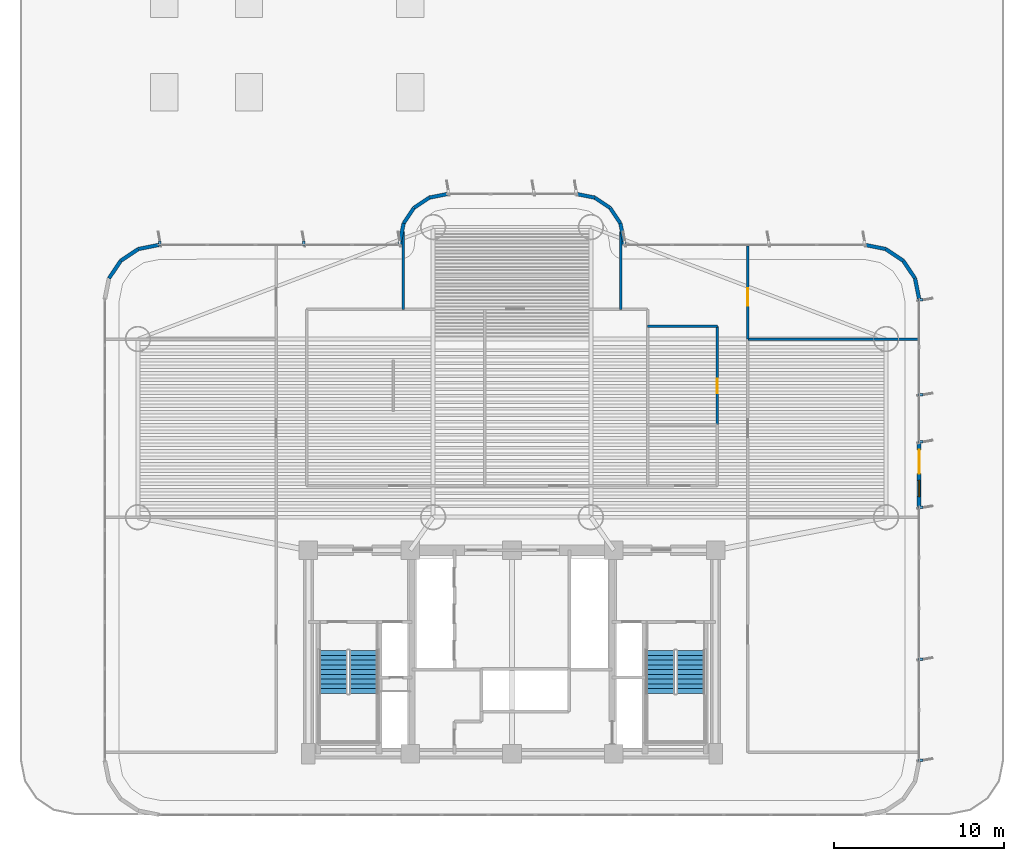
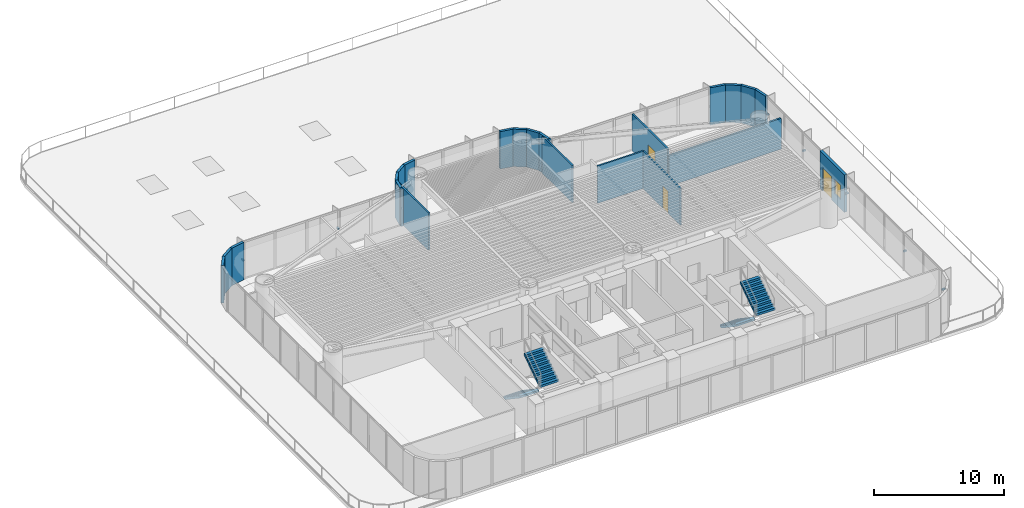
# One storey, part 12 of 17: 24 walls, 8 discrete accessories, 4 stair flights, 3 doors, 1 window, 4 openings, 2 elements without a shape of their own.
"""IFC4 building model written with IfcOpenShell, lengths in metres."""

from ifc_helpers import new_model, si_unit, direction, frame, frame_2d, origin, origin_2d, place, context, subcontext, project, spatial, polyline, rectangle, outline, extrude, source, transform, mapped, material, layer, layer_set, type_object, element, fill, aggregate, save


model = new_model("IFC4")

# Units and contexts
model_context = context("Model", 3, precision=1e-05, world=origin(), true_north=direction((0.0, 1.0)))
body_context = subcontext(model_context, "Body", "Model", "MODEL_VIEW")
ifc_project = project(units=[si_unit("LENGTHUNIT", "METRE"), si_unit("AREAUNIT", "SQUARE_METRE"), si_unit("VOLUMEUNIT", "CUBIC_METRE"), si_unit("PLANEANGLEUNIT", "RADIAN"), si_unit("MASSUNIT", "GRAM", prefix="KILO")], contexts=[model_context])

# Site, building, storey
site_placement = place(None, origin())
site = spatial("IfcSite", under=ifc_project, at=site_placement, CompositionType="ELEMENT")
building_placement = place(site_placement, origin())
building = spatial("IfcBuilding", under=site, at=building_placement, Name="Brelvock Crest Care Tower", CompositionType="ELEMENT")
storey_placement = place(building_placement, frame((0.0, 0.0, 27.0)))
storey = spatial("IfcBuildingStorey", under=building, at=storey_placement, Name="L06", CompositionType="ELEMENT", Elevation=27.0)

# Wall, openings, door, window
ifc_material_1 = material(Name="Precast concrete N40 (40 MPa)", Category="concrete")
ifc_layer_1 = layer(ifc_material_1, 0.239990234375, Name="WL-EX1")
ifc_layer_set_1 = layer_set([ifc_layer_1], Name="Precast concrete N40 (40 MPa)")
wall_type_1 = type_object("IfcWallType", Name="WL-EX1", PredefinedType="SOLIDWALL", material=ifc_layer_set_1)
wall_1_placement = place(storey_placement, frame((60.0, 24.364013671875, 0.0), z_axis=(0.0, 0.0, 1.0), x_axis=(0.0, -1.0, 0.0)))
wall_1 = element("IfcWall", 1, at=wall_1_placement, inside=storey, type_object=wall_type_1, Name="L06 Exterior Spandrel Wall WL-TER-L06-03", PredefinedType="SOLIDWALL", context=body_context, shape_type="SweptSolid", body=[
    extrude(rectangle(XDim=3.800048828125, YDim=0.239990234375, at=frame_2d((1.89990234375, 0.0))), origin(), (0.0, 0.0, 1.0), 3.530029296875),
])
opening_1_placement = place(wall_1_placement, frame((0.449951171875, 0.0, 0.0)))
opening_1 = element("IfcOpeningElement", 2, at=opening_1_placement, cuts=wall_1, Name="Opening TD-1", PredefinedType="OPENING", context=body_context, shape_type="SweptSolid", body=[
    extrude(rectangle(XDim=1.39990234375, YDim=2.14990234375, at=origin_2d()), frame((0.699951171875, 0.1298828125, 1.074951171875), z_axis=(0.0, -1.0, 0.0), x_axis=(1.0, 0.0, 0.0)), (0.0, 0.0, 1.0), 0.260009765625),
])
opening_2_placement = place(wall_1_placement, frame((2.25, 0.0, 0.85009765625)))
opening_2 = element("IfcOpeningElement", 3, at=opening_2_placement, cuts=wall_1, Name="Opening W-03", PredefinedType="OPENING", context=body_context, shape_type="SweptSolid", body=[
    extrude(rectangle(XDim=0.949951171875, YDim=1.35009765625, at=origin_2d()), frame((0.47509765625, 0.1298828125, 0.675048828125), z_axis=(0.0, -1.0, 0.0), x_axis=(1.0, 0.0, 0.0)), (0.0, 0.0, 1.0), 0.260009765625),
])
ifc_material_2 = material(Name="Dark Glass Double Glazed Low-E", Category="glass")
door_type_1 = type_object("IfcDoorType", Name="DR-TER1", OperationType="NOTDEFINED", PredefinedType="DOOR", material=ifc_material_2)
shared_shape_1 = source(origin(), body_context, "Body", "SweptSolid", [
    extrude(rectangle(XDim=1.39990234375, YDim=2.14990234375, at=origin_2d()), frame((0.699951171875, 0.02490234375, 1.074951171875), z_axis=(0.0, -1.0, 0.0), x_axis=(1.0, 0.0, 0.0)), (0.0, 0.0, 1.0), 0.050048828125),
])
door_1_placement = place(opening_1_placement, origin())
door_1 = element("IfcDoor", 4, at=door_1_placement, inside=storey, type_object=door_type_1, Name="L06 Setback Terrace Glazed Door", OperationType="SINGLE_SWING_RIGHT", OverallHeight=2.14990234375, OverallWidth=1.39990234375, PredefinedType="DOOR", context=body_context, shape_type="MappedRepresentation", body=[
    mapped(shared_shape_1, transform((0.0, 0.0, 0.0), x_axis=(1.0, 0.0, 0.0), y_axis=(0.0, 1.0, 0.0), z_axis=(0.0, 0.0, 1.0), scale=1.0)),
])
fill(opening_1, door_1)
window_type = type_object("IfcWindowType", Name="WN-EX3", PartitioningType="SINGLE_PANEL", PredefinedType="WINDOW", material=ifc_material_2)
shared_shape_2 = source(origin(), body_context, "Body", "SweptSolid", [
    extrude(rectangle(XDim=0.949951171875, YDim=1.35009765625, at=origin_2d()), frame((0.47509765625, 0.030029296875, 0.675048828125), z_axis=(0.0, -1.0, 0.0), x_axis=(1.0, 0.0, 0.0)), (0.0, 0.0, 1.0), 0.06005859375),
])
window_placement = place(opening_2_placement, origin())
window = element("IfcWindow", 5, at=window_placement, inside=storey, type_object=window_type, Name="L06 Terrace Side Window", OverallHeight=1.35009765625, OverallWidth=0.949951171875, PartitioningType="SINGLE_PANEL", PredefinedType="WINDOW", context=body_context, shape_type="MappedRepresentation", body=[
    mapped(shared_shape_2, transform((0.0, 0.0, 0.0), x_axis=(1.0, 0.0, 0.0), y_axis=(0.0, 1.0, 0.0), z_axis=(0.0, 0.0, 1.0), scale=1.0)),
])
fill(opening_2, window)

# Walls
ifc_layer_2 = layer(ifc_material_1, 0.215087890625, Name="WL-EX2")
ifc_layer_set_2 = layer_set([ifc_layer_2], Name="Precast concrete N40 (40 MPa)")
wall_type_2 = type_object("IfcWallType", Name="WL-EX2", PredefinedType="SOLIDWALL", material=ifc_layer_set_2)
for number, where, z_axis, x_axis, name in (
    (6, (58.024658203125, 35.75634765625, 0.0), (0.0, 0.0, 1.0), (0.831478245117, -0.555557312883, 0.0), "L06 Rounded Corner Wall 00"),
    (7, (59.062744140625, 35.062744140625, 0.0), (0.0, 0.0, 1.0), (0.555557312883, -0.831478245117, 0.0), "L06 Rounded Corner Wall 01"),
    (8, (59.75634765625, 34.024658203125, 0.0), (0.0, 0.0, 1.0), (0.195138390419, -0.980775717779, 0.0), "L06 Rounded Corner Wall 02"),
    (9, (12.24365234375, 34.024658203125, 0.0), (0.0, 0.0, 1.0), (0.555557312883, 0.831478245117, 0.0), "L06 Rounded Corner Wall 15"),
    (10, (12.937255859375, 35.062744140625, 0.0), (0.0, 0.0, 1.0), (0.831478245117, 0.555557312883, 0.0), "L06 Rounded Corner Wall 16"),
    (11, (13.975341796875, 35.75634765625, 0.0), (0.0, 0.0, 1.0), (0.980775717779, 0.195138390419, 0.0), "L06 Rounded Corner Wall 17"),
):
    element("IfcWall", number, at=place(storey_placement, frame(where, z_axis=z_axis, x_axis=x_axis)), inside=storey, type_object=wall_type_2, Name=name, PredefinedType="SOLIDWALL", context=body_context, shape_type="SweptSolid", body=[
        extrude(rectangle(XDim=1.24853515625, YDim=0.215087890625, at=frame_2d((0.624267578125, 0.0))), origin(), (0.0, 0.0, 1.0), 3.530029296875),
    ])
wall_2_placement = place(storey_placement, frame((29.39990234375, 36.0, 0.0), z_axis=(0.0, 0.0, 1.0), x_axis=(0.0, 1.0, 0.0)))
element("IfcWall", 12, at=wall_2_placement, inside=storey, type_object=wall_type_2, Name="L06 Rounded Corner Wall 19", PredefinedType="SOLIDWALL", context=body_context, shape_type="SweptSolid", body=[
    extrude(rectangle(XDim=0.199951171875, YDim=0.215087890625, at=frame_2d((0.10009765625, 0.0))), origin(), (0.0, 0.0, 1.0), 3.530029296875),
])
wall_3_placement = place(storey_placement, frame((29.39990234375, 36.199951171875, 0.0), z_axis=(0.0, 0.0, 1.0), x_axis=(0.195084651288, 0.980786408364, 0.0)))
element("IfcWall", 13, at=wall_3_placement, inside=storey, type_object=wall_type_2, Name="L06 Rounded Corner Wall 20", PredefinedType="SOLIDWALL", context=body_context, shape_type="SweptSolid", body=[
    extrude(rectangle(XDim=1.092529296875, YDim=0.215087890625, at=frame_2d((0.54638671875, 0.0))), origin(), (0.0, 0.0, 1.0), 3.530029296875),
])
wall_4_placement = place(storey_placement, frame((29.613037109375, 37.271484375, 0.0), z_axis=(0.0, 0.0, 1.0), x_axis=(0.555679482341, 0.831396603857, 0.0)))
element("IfcWall", 14, at=wall_4_placement, inside=storey, type_object=wall_type_2, Name="L06 Rounded Corner Wall 21", PredefinedType="SOLIDWALL", context=body_context, shape_type="SweptSolid", body=[
    extrude(rectangle(XDim=1.0927734375, YDim=0.215087890625, at=frame_2d((0.54638671875, 0.0))), origin(), (0.0, 0.0, 1.0), 3.530029296875),
])
wall_5_placement = place(storey_placement, frame((30.22021484375, 38.179931640625, 0.0), z_axis=(0.0, 0.0, 1.0), x_axis=(0.831430845238, 0.555628247651, 0.0)))
element("IfcWall", 15, at=wall_5_placement, inside=storey, type_object=wall_type_2, Name="L06 Rounded Corner Wall 22", PredefinedType="SOLIDWALL", context=body_context, shape_type="SweptSolid", body=[
    extrude(rectangle(XDim=1.09228515625, YDim=0.215087890625, at=frame_2d((0.546142578125, 0.0))), origin(), (0.0, 0.0, 1.0), 3.530029296875),
])
for number, where, z_axis, x_axis, name in (
    (16, (31.12841796875, 38.786865234375, 0.0), (0.0, 0.0, 1.0), (0.980786408364, 0.195084651288, 0.0), "L06 Rounded Corner Wall 23"),
    (17, (39.800048828125, 39.0, 0.0), (0.0, 0.0, 1.0), (0.980786408364, -0.195084651288, 0.0), "L06 Rounded Corner Wall 25"),
):
    element("IfcWall", number, at=place(storey_placement, frame(where, z_axis=z_axis, x_axis=x_axis)), inside=storey, type_object=wall_type_2, Name=name, PredefinedType="SOLIDWALL", context=body_context, shape_type="SweptSolid", body=[
        extrude(rectangle(XDim=1.092529296875, YDim=0.215087890625, at=frame_2d((0.54638671875, 0.0))), origin(), (0.0, 0.0, 1.0), 3.530029296875),
    ])
wall_6_placement = place(storey_placement, frame((40.87158203125, 38.786865234375, 0.0), z_axis=(0.0, 0.0, 1.0), x_axis=(0.831430845238, -0.555628247651, 0.0)))
element("IfcWall", 18, at=wall_6_placement, inside=storey, type_object=wall_type_2, Name="L06 Rounded Corner Wall 26", PredefinedType="SOLIDWALL", context=body_context, shape_type="SweptSolid", body=[
    extrude(rectangle(XDim=1.09228515625, YDim=0.215087890625, at=frame_2d((0.546142578125, 0.0))), origin(), (0.0, 0.0, 1.0), 3.530029296875),
])
wall_7_placement = place(storey_placement, frame((41.77978515625, 38.179931640625, 0.0), z_axis=(0.0, 0.0, 1.0), x_axis=(0.555679482341, -0.831396603857, 0.0)))
element("IfcWall", 19, at=wall_7_placement, inside=storey, type_object=wall_type_2, Name="L06 Rounded Corner Wall 27", PredefinedType="SOLIDWALL", context=body_context, shape_type="SweptSolid", body=[
    extrude(rectangle(XDim=1.0927734375, YDim=0.215087890625, at=frame_2d((0.54638671875, 0.0))), origin(), (0.0, 0.0, 1.0), 3.530029296875),
])
wall_8_placement = place(storey_placement, frame((42.386962890625, 37.271484375, 0.0), z_axis=(0.0, 0.0, 1.0), x_axis=(0.195084651288, -0.980786408364, 0.0)))
element("IfcWall", 20, at=wall_8_placement, inside=storey, type_object=wall_type_2, Name="L06 Rounded Corner Wall 28", PredefinedType="SOLIDWALL", context=body_context, shape_type="SweptSolid", body=[
    extrude(rectangle(XDim=1.092529296875, YDim=0.215087890625, at=frame_2d((0.54638671875, 0.0))), origin(), (0.0, 0.0, 1.0), 3.530029296875),
])
wall_9_placement = place(storey_placement, frame((42.60009765625, 36.199951171875, 0.0), z_axis=(0.0, 0.0, 1.0), x_axis=(0.0, -1.0, 0.0)))
element("IfcWall", 21, at=wall_9_placement, inside=storey, type_object=wall_type_2, Name="L06 Rounded Corner Wall 29", PredefinedType="SOLIDWALL", context=body_context, shape_type="SweptSolid", body=[
    extrude(rectangle(XDim=0.199951171875, YDim=0.215087890625, at=frame_2d((0.10009765625, 0.0))), origin(), (0.0, 0.0, 1.0), 3.530029296875),
])
wall_10_placement = place(storey_placement, frame((56.800048828125, 36.0, 0.0), z_axis=(0.0, 0.0, 1.0), x_axis=(0.980775717779, -0.195138390419, 0.0)))
element("IfcWall", 22, at=wall_10_placement, inside=storey, type_object=wall_type_2, Name="L06 Rounded Corner Wall 31", PredefinedType="SOLIDWALL", context=body_context, shape_type="SweptSolid", body=[
    extrude(rectangle(XDim=1.24853515625, YDim=0.215087890625, at=frame_2d((0.624267578125, 0.0))), origin(), (0.0, 0.0, 1.0), 3.530029296875),
])
ifc_material_3 = material(Name="Masonry Blockwork Acoustic Partition", Category="masonry")
ifc_layer_3 = layer(ifc_material_3, 0.14990234375, Name="WL-INT1")
ifc_layer_set_3 = layer_set([ifc_layer_3], Name="Masonry Blockwork Acoustic Partition")
wall_type_3 = type_object("IfcWallType", Name="WL-INT1", PredefinedType="PARTITIONING", material=ifc_layer_set_3)
wall_11_placement = place(storey_placement, frame((49.89990234375, 30.449951171875, 0.0), z_axis=(0.0, 0.0, 1.0), x_axis=(1.0, 0.0, 0.0)))
element("IfcWall", 23, at=wall_11_placement, inside=storey, type_object=wall_type_3, Name="L06 Interior Wall WL-BX-L06-EWL2-N", PredefinedType="PARTITIONING", context=body_context, shape_type="SweptSolid", body=[
    extrude(rectangle(XDim=10.02001953125, YDim=0.14990234375, at=frame_2d((5.010009765625, 0.0))), origin(), (0.0, 0.0, 1.0), 2.903076171875),
])
wall_12_placement = place(storey_placement, frame((44.0, 31.199951171875, 0.0), z_axis=(0.0, 0.0, 1.0), x_axis=(1.0, 0.0, 0.0)))
element("IfcWall", 24, at=wall_12_placement, inside=storey, type_object=wall_type_3, Name="L06 Interior Wall WL-BX-L06-CKIT-N", PredefinedType="PARTITIONING", context=body_context, shape_type="SweptSolid", body=[
    extrude(rectangle(XDim=4.10009765625, YDim=0.14990234375, at=frame_2d((2.050048828125, 0.0))), origin(), (0.0, 0.0, 1.0), 3.5),
])
for number, where, z_axis, x_axis, name in (
    (25, (29.60009765625, 32.199951171875, 0.0), (0.0, 0.0, 1.0), (0.0, 1.0, 0.0), "L06 Interior Wall WL-BX-L06-NHUB-W"),
    (26, (42.39990234375, 32.199951171875, 0.0), (0.0, 0.0, 1.0), (0.0, 1.0, 0.0), "L06 Interior Wall WL-BX-L06-NHUB-E"),
):
    element("IfcWall", number, at=place(storey_placement, frame(where, z_axis=z_axis, x_axis=x_axis)), inside=storey, type_object=wall_type_3, Name=name, PredefinedType="PARTITIONING", context=body_context, shape_type="SweptSolid", body=[
        extrude(rectangle(XDim=4.595458984375, YDim=0.14990234375, at=frame_2d((2.2978515625, 0.0))), origin(), (0.0, 0.0, 1.0), 3.5),
    ])

# Wall, opening, door
wall_13_placement = place(storey_placement, frame((48.10009765625, 25.39990234375, 0.0), z_axis=(0.0, 0.0, 1.0), x_axis=(0.0, 1.0, 0.0)))
wall_13 = element("IfcWall", 27, at=wall_13_placement, inside=storey, type_object=wall_type_3, Name="L06 Interior Wall WL-RM-L06-CKIT", PredefinedType="PARTITIONING", context=body_context, shape_type="SweptSolid", body=[
    extrude(rectangle(XDim=5.800048828125, YDim=0.14990234375, at=frame_2d((2.89990234375, 0.0))), origin(), (0.0, 0.0, 1.0), 3.5),
])
opening_3_placement = place(wall_13_placement, frame((1.860107421875, 0.0, 0.0)))
opening_3 = element("IfcOpeningElement", 28, at=opening_3_placement, cuts=wall_13, Name="Opening ID-1", PredefinedType="OPENING", context=body_context, shape_type="SweptSolid", body=[
    extrude(rectangle(XDim=0.860107421875, YDim=2.10009765625, at=origin_2d()), frame((0.43017578125, 0.0849609375, 1.050048828125), z_axis=(0.0, -1.0, 0.0), x_axis=(1.0, 0.0, 0.0)), (0.0, 0.0, 1.0), 0.169921875),
])
ifc_material_4 = material(Name="Engineered Hardwood Timber", Category="wood")
door_type_2 = type_object("IfcDoorType", Name="DR-INT1", OperationType="NOTDEFINED", PredefinedType="DOOR", material=ifc_material_4)
shared_shape_3 = source(origin(), body_context, "Body", "SweptSolid", [
    extrude(rectangle(XDim=0.860107421875, YDim=2.10009765625, at=origin_2d()), frame((0.43017578125, 0.02490234375, 1.050048828125), z_axis=(0.0, -1.0, 0.0), x_axis=(1.0, 0.0, 0.0)), (0.0, 0.0, 1.0), 0.050048828125),
])
door_2_placement = place(opening_3_placement, origin())
door_2 = element("IfcDoor", 29, at=door_2_placement, inside=storey, type_object=door_type_2, Name="L06 Neighbourhood Pantry Kitchen Door CKIT", OperationType="SINGLE_SWING_LEFT", OverallHeight=2.10009765625, OverallWidth=0.860107421875, PredefinedType="DOOR", context=body_context, shape_type="MappedRepresentation", body=[
    mapped(shared_shape_3, transform((0.0, 0.0, 0.0), x_axis=(1.0, 0.0, 0.0), y_axis=(0.0, 1.0, 0.0), z_axis=(0.0, 0.0, 1.0), scale=1.0)),
])
fill(opening_3, door_2)

wall_14_placement = place(storey_placement, frame((49.89990234375, 30.449951171875, 0.0), z_axis=(0.0, 0.0, 1.0), x_axis=(0.0, 1.0, 0.0)))
wall_14 = element("IfcWall", 30, at=wall_14_placement, inside=storey, type_object=wall_type_3, Name="L06 Interior Wall WL-RM-L06-EWL3", PredefinedType="PARTITIONING", context=body_context, shape_type="SweptSolid", body=[
    extrude(rectangle(XDim=5.47021484375, YDim=0.14990234375, at=frame_2d((2.735107421875, 0.0))), origin(), (0.0, 0.0, 1.0), 3.5),
])
opening_4_placement = place(wall_14_placement, frame((1.949951171875, 0.0, 0.0)))
opening_4 = element("IfcOpeningElement", 31, at=opening_4_placement, cuts=wall_14, Name="Opening CLD-1", PredefinedType="OPENING", context=body_context, shape_type="SweptSolid", body=[
    extrude(rectangle(XDim=1.050048828125, YDim=2.10009765625, at=origin_2d()), frame((0.52490234375, 0.0849609375, 1.050048828125), z_axis=(0.0, -1.0, 0.0), x_axis=(1.0, 0.0, 0.0)), (0.0, 0.0, 1.0), 0.169921875),
])
door_type_3 = type_object("IfcDoorType", Name="DR-CLN1", OperationType="NOTDEFINED", PredefinedType="DOOR", material=ifc_material_4)
shared_shape_4 = source(origin(), body_context, "Body", "SweptSolid", [
    extrude(rectangle(XDim=1.050048828125, YDim=2.10009765625, at=origin_2d()), frame((0.52490234375, 0.02490234375, 1.050048828125), z_axis=(0.0, -1.0, 0.0), x_axis=(1.0, 0.0, 0.0)), (0.0, 0.0, 1.0), 0.050048828125),
])
door_3_placement = place(opening_4_placement, origin())
door_3 = element("IfcDoor", 32, at=door_3_placement, inside=storey, type_object=door_type_3, Name="L06 East Terrace Tea Conservatory Door EWL3", OperationType="SINGLE_SWING_LEFT", OverallHeight=2.10009765625, OverallWidth=1.050048828125, PredefinedType="DOOR", context=body_context, shape_type="MappedRepresentation", body=[
    mapped(shared_shape_4, transform((0.0, 0.0, 0.0), x_axis=(1.0, 0.0, 0.0), y_axis=(0.0, 1.0, 0.0), z_axis=(0.0, 0.0, 1.0), scale=1.0)),
])
fill(opening_4, door_3)

# Stair, stair flights
ifc_material_5 = material(Name="Concrete N40 (40 MPa)", Category="concrete")
stair_type = type_object("IfcStairType", Name="ST-CORE1", PredefinedType="HALF_TURN_STAIR", material=ifc_material_5)
stair_1_placement = place(storey_placement, origin())
stair_1 = element("IfcStair", 33, at=stair_1_placement, inside=storey, type_object=stair_type, Name="L06 Fire-Isolated Core Stair ST-1", PredefinedType="HALF_TURN_STAIR")
stair_flight_type = type_object("IfcStairFlightType", Name="STF-1", PredefinedType="STRAIGHT", material=ifc_material_5)
stair_flight_1_placement = place(storey_placement, frame((25.469970703125, 12.080078125, 0.0), z_axis=(0.0, 0.0, 1.0), x_axis=(0.0, -1.0, 0.0)))
stair_flight_1 = element("IfcStairFlight", 34, at=stair_flight_1_placement, type_object=stair_flight_type, Name="ST-1 flight 1", NumberOfRisers=10, NumberOfTreads=9, PredefinedType="STRAIGHT", RiserHeight=0.189, TreadLength=0.28, context=body_context, shape_type="SweptSolid", body=[
    extrude(outline(polyline([(-0.00390625, -0.014892578125), (-0.00390625, -0.0078125), (-0.00390625, -0.00048828125), (-0.00390625, 0.0068359375), (-0.00390625, 0.01416015625), (-0.00390625, 0.021484375), (-0.00390625, 0.02880859375), (-0.00390625, 0.035888671875), (-0.00390625, 0.043212890625), (-0.00390625, 0.050537109375), (-0.00390625, 0.057861328125), (-0.00390625, 0.065185546875), (-0.00390625, 0.072509765625), (-0.00390625, 0.07958984375), (-0.00390625, 0.0869140625), (-0.00390625, 0.09423828125), (-0.00390625, 0.1015625), (-0.00390625, 0.10888671875), (-0.00390625, 0.1162109375), (-0.00390625, 0.12353515625), (-0.00390625, 0.130615234375), (-0.00390625, 0.137939453125), (-0.00390625, 0.145263671875), (-0.00390625, 0.152587890625), (-0.00390625, 0.159912109375), (-0.00390625, 0.167236328125), (-0.00390625, 0.17431640625), (-0.00390625, 0.181640625), (-0.00390625, 0.18896484375), (0.0, 0.18896484375), (0.280029296875, 0.18896484375), (0.280029296875, 0.3779296875), (0.56005859375, 0.3779296875), (0.56005859375, 0.56689453125), (0.840087890625, 0.56689453125), (0.840087890625, 0.756103515625), (1.1201171875, 0.756103515625), (1.1201171875, 0.945068359375), (1.39990234375, 0.945068359375), (1.39990234375, 1.134033203125), (1.679931640625, 1.134033203125), (1.679931640625, 1.322998046875), (1.9599609375, 1.322998046875), (1.9599609375, 1.511962890625), (2.239990234375, 1.511962890625), (2.239990234375, 1.700927734375), (2.52001953125, 1.700927734375), (2.52392578125, 1.700927734375), (2.523681640625, 1.70068359375), (2.52392578125, 1.700439453125), (2.523681640625, 1.699951171875), (2.52392578125, 1.69970703125), (2.523681640625, 1.699462890625), (2.52392578125, 1.698974609375), (2.523681640625, 1.69873046875), (2.52392578125, 1.698486328125), (2.523681640625, 1.697998046875), (2.52392578125, 1.69775390625), (2.523681640625, 1.697509765625), (2.52392578125, 1.697021484375), (2.523681640625, 1.69677734375), (2.52392578125, 1.696533203125), (2.523681640625, 1.6962890625), (2.52392578125, 1.69580078125), (2.523681640625, 1.695556640625), (2.52392578125, 1.6953125), (2.523681640625, 1.69482421875), (2.52392578125, 1.694580078125), (2.523681640625, 1.6943359375), (2.52392578125, 1.69384765625), (2.523681640625, 1.693603515625), (2.52392578125, 1.693359375), (2.523681640625, 1.69287109375), (2.52392578125, 1.692626953125), (2.523681640625, 1.6923828125), (2.52392578125, 1.69189453125), (2.52001953125, 1.520263671875), (0.267822265625, 0.0), (0.0, 0.0), (0.0, -0.014892578125), (-0.00390625, -0.014892578125)])), frame((0.0, 0.83984375, 0.0), z_axis=(0.0, -1.0, 0.0), x_axis=(1.0, 0.0, 0.0)), (0.0, 0.0, 1.0), 1.679931640625),
])
stair_flight_2_placement = place(storey_placement, frame((27.27001953125, 9.56005859375, 1.889892578125), z_axis=(0.0, 0.0, 1.0), x_axis=(0.0, 1.0, 0.0)))
stair_flight_2 = element("IfcStairFlight", 35, at=stair_flight_2_placement, type_object=stair_flight_type, Name="ST-1 flight 2", NumberOfRisers=10, NumberOfTreads=9, PredefinedType="STRAIGHT", RiserHeight=0.189, TreadLength=0.28, context=body_context, shape_type="SweptSolid", body=[
    extrude(outline(polyline([(-0.00390625, -0.014892578125), (-0.00390625, -0.0078125), (-0.00390625, -0.00048828125), (-0.00390625, 0.0068359375), (-0.00390625, 0.01416015625), (-0.00390625, 0.021484375), (-0.00390625, 0.02880859375), (-0.00390625, 0.035888671875), (-0.00390625, 0.043212890625), (-0.00390625, 0.050537109375), (-0.00390625, 0.057861328125), (-0.00390625, 0.065185546875), (-0.00390625, 0.072509765625), (-0.00390625, 0.07958984375), (-0.00390625, 0.0869140625), (-0.00390625, 0.09423828125), (-0.00390625, 0.1015625), (-0.00390625, 0.10888671875), (-0.00390625, 0.1162109375), (-0.00390625, 0.12353515625), (-0.00390625, 0.130615234375), (-0.00390625, 0.137939453125), (-0.00390625, 0.145263671875), (-0.00390625, 0.152587890625), (-0.00390625, 0.159912109375), (-0.00390625, 0.167236328125), (-0.00390625, 0.17431640625), (-0.00390625, 0.181640625), (-0.00390625, 0.18896484375), (0.0, 0.18896484375), (0.280029296875, 0.18896484375), (0.280029296875, 0.3779296875), (0.56005859375, 0.3779296875), (0.56005859375, 0.56689453125), (0.840087890625, 0.56689453125), (0.840087890625, 0.756103515625), (1.1201171875, 0.756103515625), (1.1201171875, 0.945068359375), (1.39990234375, 0.945068359375), (1.39990234375, 1.134033203125), (1.679931640625, 1.134033203125), (1.679931640625, 1.322998046875), (1.9599609375, 1.322998046875), (1.9599609375, 1.511962890625), (2.239990234375, 1.511962890625), (2.239990234375, 1.700927734375), (2.52001953125, 1.700927734375), (2.52392578125, 1.700927734375), (2.523681640625, 1.70068359375), (2.52392578125, 1.700439453125), (2.523681640625, 1.699951171875), (2.52392578125, 1.69970703125), (2.523681640625, 1.699462890625), (2.52392578125, 1.698974609375), (2.523681640625, 1.69873046875), (2.52392578125, 1.698486328125), (2.523681640625, 1.697998046875), (2.52392578125, 1.69775390625), (2.523681640625, 1.697509765625), (2.52392578125, 1.697021484375), (2.523681640625, 1.69677734375), (2.52392578125, 1.696533203125), (2.523681640625, 1.6962890625), (2.52392578125, 1.69580078125), (2.523681640625, 1.695556640625), (2.52392578125, 1.6953125), (2.523681640625, 1.69482421875), (2.52392578125, 1.694580078125), (2.523681640625, 1.6943359375), (2.52392578125, 1.69384765625), (2.523681640625, 1.693603515625), (2.52392578125, 1.693359375), (2.523681640625, 1.69287109375), (2.52392578125, 1.692626953125), (2.523681640625, 1.6923828125), (2.52392578125, 1.69189453125), (2.52001953125, 1.520263671875), (0.267822265625, 0.0), (0.0, 0.0), (0.0, -0.014892578125), (-0.00390625, -0.014892578125)])), frame((0.0, 0.83984375, 0.0), z_axis=(0.0, -1.0, 0.0), x_axis=(1.0, 0.0, 0.0)), (0.0, 0.0, 1.0), 1.679931640625),
])
aggregate(stair_1, [stair_flight_1, stair_flight_2])

stair_2_placement = place(storey_placement, origin())
stair_2 = element("IfcStair", 36, at=stair_2_placement, inside=storey, type_object=stair_type, Name="L06 Fire-Isolated Core Stair ST-2", PredefinedType="HALF_TURN_STAIR")
stair_flight_3_placement = place(storey_placement, frame((44.72998046875, 12.080078125, 0.0), z_axis=(0.0, 0.0, 1.0), x_axis=(0.0, -1.0, 0.0)))
stair_flight_3 = element("IfcStairFlight", 37, at=stair_flight_3_placement, type_object=stair_flight_type, Name="ST-2 flight 1", NumberOfRisers=10, NumberOfTreads=9, PredefinedType="STRAIGHT", RiserHeight=0.189, TreadLength=0.28, context=body_context, shape_type="SweptSolid", body=[
    extrude(outline(polyline([(-0.00390625, -0.014892578125), (-0.00390625, -0.0078125), (-0.00390625, -0.00048828125), (-0.00390625, 0.0068359375), (-0.00390625, 0.01416015625), (-0.00390625, 0.021484375), (-0.00390625, 0.02880859375), (-0.00390625, 0.035888671875), (-0.00390625, 0.043212890625), (-0.00390625, 0.050537109375), (-0.00390625, 0.057861328125), (-0.00390625, 0.065185546875), (-0.00390625, 0.072509765625), (-0.00390625, 0.07958984375), (-0.00390625, 0.0869140625), (-0.00390625, 0.09423828125), (-0.00390625, 0.1015625), (-0.00390625, 0.10888671875), (-0.00390625, 0.1162109375), (-0.00390625, 0.12353515625), (-0.00390625, 0.130615234375), (-0.00390625, 0.137939453125), (-0.00390625, 0.145263671875), (-0.00390625, 0.152587890625), (-0.00390625, 0.159912109375), (-0.00390625, 0.167236328125), (-0.00390625, 0.17431640625), (-0.00390625, 0.181640625), (-0.00390625, 0.18896484375), (0.0, 0.18896484375), (0.280029296875, 0.18896484375), (0.280029296875, 0.3779296875), (0.56005859375, 0.3779296875), (0.56005859375, 0.56689453125), (0.840087890625, 0.56689453125), (0.840087890625, 0.756103515625), (1.1201171875, 0.756103515625), (1.1201171875, 0.945068359375), (1.39990234375, 0.945068359375), (1.39990234375, 1.134033203125), (1.679931640625, 1.134033203125), (1.679931640625, 1.322998046875), (1.9599609375, 1.322998046875), (1.9599609375, 1.511962890625), (2.239990234375, 1.511962890625), (2.239990234375, 1.700927734375), (2.52001953125, 1.700927734375), (2.52392578125, 1.700927734375), (2.523681640625, 1.70068359375), (2.52392578125, 1.700439453125), (2.523681640625, 1.699951171875), (2.52392578125, 1.69970703125), (2.523681640625, 1.699462890625), (2.52392578125, 1.698974609375), (2.523681640625, 1.69873046875), (2.52392578125, 1.698486328125), (2.523681640625, 1.697998046875), (2.52392578125, 1.69775390625), (2.523681640625, 1.697509765625), (2.52392578125, 1.697021484375), (2.523681640625, 1.69677734375), (2.52392578125, 1.696533203125), (2.523681640625, 1.6962890625), (2.52392578125, 1.69580078125), (2.523681640625, 1.695556640625), (2.52392578125, 1.6953125), (2.523681640625, 1.69482421875), (2.52392578125, 1.694580078125), (2.523681640625, 1.6943359375), (2.52392578125, 1.69384765625), (2.523681640625, 1.693603515625), (2.52392578125, 1.693359375), (2.523681640625, 1.69287109375), (2.52392578125, 1.692626953125), (2.523681640625, 1.6923828125), (2.52392578125, 1.69189453125), (2.52001953125, 1.520263671875), (0.267822265625, 0.0), (0.0, 0.0), (0.0, -0.014892578125), (-0.00390625, -0.014892578125)])), frame((0.0, 0.83984375, 0.0), z_axis=(0.0, -1.0, 0.0), x_axis=(1.0, 0.0, 0.0)), (0.0, 0.0, 1.0), 1.679931640625),
])
stair_flight_4_placement = place(storey_placement, frame((46.530029296875, 9.56005859375, 1.889892578125), z_axis=(0.0, 0.0, 1.0), x_axis=(0.0, 1.0, 0.0)))
stair_flight_4 = element("IfcStairFlight", 38, at=stair_flight_4_placement, type_object=stair_flight_type, Name="ST-2 flight 2", NumberOfRisers=10, NumberOfTreads=9, PredefinedType="STRAIGHT", RiserHeight=0.189, TreadLength=0.28, context=body_context, shape_type="SweptSolid", body=[
    extrude(outline(polyline([(-0.00390625, -0.014892578125), (-0.00390625, -0.0078125), (-0.00390625, -0.00048828125), (-0.00390625, 0.0068359375), (-0.00390625, 0.01416015625), (-0.00390625, 0.021484375), (-0.00390625, 0.02880859375), (-0.00390625, 0.035888671875), (-0.00390625, 0.043212890625), (-0.00390625, 0.050537109375), (-0.00390625, 0.057861328125), (-0.00390625, 0.065185546875), (-0.00390625, 0.072509765625), (-0.00390625, 0.07958984375), (-0.00390625, 0.0869140625), (-0.00390625, 0.09423828125), (-0.00390625, 0.1015625), (-0.00390625, 0.10888671875), (-0.00390625, 0.1162109375), (-0.00390625, 0.12353515625), (-0.00390625, 0.130615234375), (-0.00390625, 0.137939453125), (-0.00390625, 0.145263671875), (-0.00390625, 0.152587890625), (-0.00390625, 0.159912109375), (-0.00390625, 0.167236328125), (-0.00390625, 0.17431640625), (-0.00390625, 0.181640625), (-0.00390625, 0.18896484375), (0.0, 0.18896484375), (0.280029296875, 0.18896484375), (0.280029296875, 0.3779296875), (0.56005859375, 0.3779296875), (0.56005859375, 0.56689453125), (0.840087890625, 0.56689453125), (0.840087890625, 0.756103515625), (1.1201171875, 0.756103515625), (1.1201171875, 0.945068359375), (1.39990234375, 0.945068359375), (1.39990234375, 1.134033203125), (1.679931640625, 1.134033203125), (1.679931640625, 1.322998046875), (1.9599609375, 1.322998046875), (1.9599609375, 1.511962890625), (2.239990234375, 1.511962890625), (2.239990234375, 1.700927734375), (2.52001953125, 1.700927734375), (2.52392578125, 1.700927734375), (2.523681640625, 1.70068359375), (2.52392578125, 1.700439453125), (2.523681640625, 1.699951171875), (2.52392578125, 1.69970703125), (2.523681640625, 1.699462890625), (2.52392578125, 1.698974609375), (2.523681640625, 1.69873046875), (2.52392578125, 1.698486328125), (2.523681640625, 1.697998046875), (2.52392578125, 1.69775390625), (2.523681640625, 1.697509765625), (2.52392578125, 1.697021484375), (2.523681640625, 1.69677734375), (2.52392578125, 1.696533203125), (2.523681640625, 1.6962890625), (2.52392578125, 1.69580078125), (2.523681640625, 1.695556640625), (2.52392578125, 1.6953125), (2.523681640625, 1.69482421875), (2.52392578125, 1.694580078125), (2.523681640625, 1.6943359375), (2.52392578125, 1.69384765625), (2.523681640625, 1.693603515625), (2.52392578125, 1.693359375), (2.523681640625, 1.69287109375), (2.52392578125, 1.692626953125), (2.523681640625, 1.6923828125), (2.52392578125, 1.69189453125), (2.52001953125, 1.520263671875), (0.267822265625, 0.0), (0.0, 0.0), (0.0, -0.014892578125), (-0.00390625, -0.014892578125)])), frame((0.0, 0.83984375, 0.0), z_axis=(0.0, -1.0, 0.0), x_axis=(1.0, 0.0, 0.0)), (0.0, 0.0, 1.0), 1.679931640625),
])
aggregate(stair_2, [stair_flight_3, stair_flight_4])

# Discrete accessories
ifc_material_6 = material(Name="Steel Grade 350", Category="steel")
discrete_accessory_type = type_object("IfcDiscreteAccessoryType", Name="ACC-BRK1", PredefinedType="BRACKET", material=ifc_material_6)
shared_shape_5 = source(origin(), body_context, "Body", "SweptSolid", [
    extrude(rectangle(XDim=0.280029296875, YDim=0.139892578125, at=origin_2d()), origin(), (0.0, 0.0, 1.0), 0.139892578125),
])
for number, where, z_axis, x_axis, name in (
    (39, (60.080078125, 32.767578125, 1.69482421875), (0.0, 0.0, 1.0), (1.0, 0.0, 0.0), "L06 Facade Fin Bracket E03A-01"),
    (40, (60.080078125, 27.176025390625, 1.69482421875), (0.0, 0.0, 1.0), (1.0, 0.0, 0.0), "L06 Facade Fin Bracket E03A-03"),
    (41, (60.080078125, 24.396484375, 1.69482421875), (0.0, 0.0, 1.0), (1.0, 0.0, 0.0), "L06 Facade Fin Bracket E03A-04"),
    (42, (60.080078125, 20.531494140625, 1.69482421875), (0.0, 0.0, 1.0), (1.0, 0.0, 0.0), "L06 Facade Fin Bracket E03B-01"),
    (43, (60.080078125, 11.585693359375, 1.69482421875), (0.0, 0.0, 1.0), (1.0, 0.0, 0.0), "L06 Facade Fin Bracket E03B-04"),
    (44, (60.080078125, 5.632568359375, 1.69482421875), (0.0, 0.0, 1.0), (1.0, 0.0, 0.0), "L06 Facade Fin Bracket E03B-06"),
    (45, (15.232421875, 36.080078125, 1.69482421875), (0.0, 0.0, 1.0), (0.0, 1.0, 0.0), "L06 Facade Fin Bracket E18-01"),
    (46, (23.719970703125, 36.080078125, 1.69482421875), (0.0, 0.0, 1.0), (0.0, 1.0, 0.0), "L06 Facade Fin Bracket E18-04"),
):
    element("IfcDiscreteAccessory", number, at=place(storey_placement, frame(where, z_axis=z_axis, x_axis=x_axis)), inside=storey, type_object=discrete_accessory_type, Name=name, PredefinedType="BRACKET", context=body_context, shape_type="MappedRepresentation", body=[
        mapped(shared_shape_5, transform((0.0, 0.0, 0.0), x_axis=(1.0, 0.0, 0.0), y_axis=(0.0, 1.0, 0.0), z_axis=(0.0, 0.0, 1.0), scale=1.0)),
    ])

save(model, "model.ifc")
